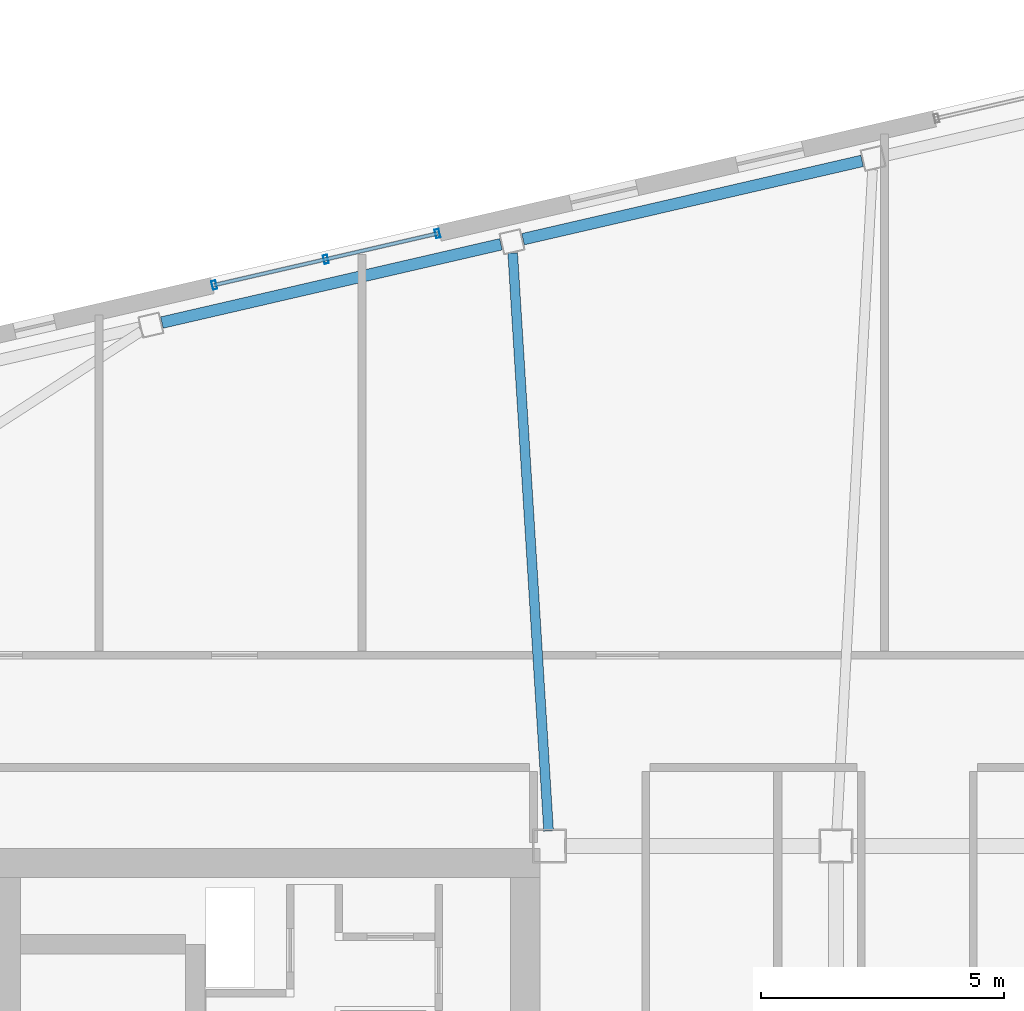
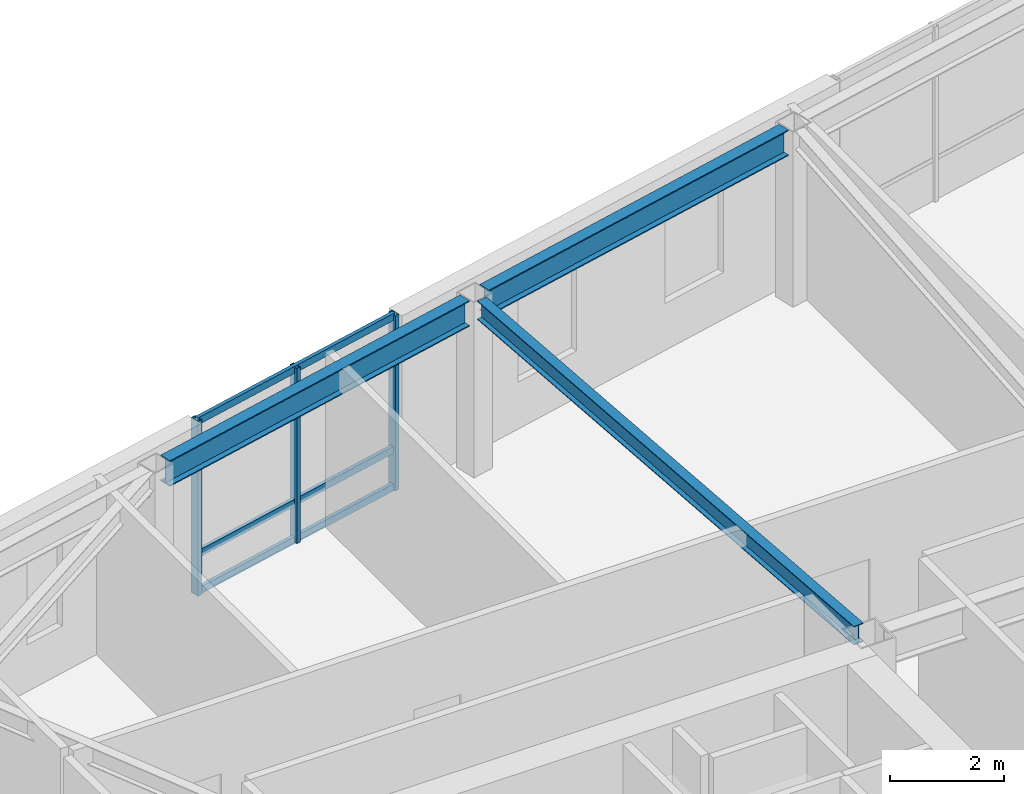
# One storey, part 12 of 23: 6 members, 3 beams, 1 element without a shape of its own.
"""IFC4 building model written with IfcOpenShell, lengths in metres."""

from ifc_helpers import new_model, si_unit, direction, frame, origin, origin_2d, place, context, subcontext, project, spatial, hollow_rectangle, i_section, extrude, material, layer, layer_set, material_profile, profile_set, type_object, element, aggregate, save


model = new_model("IFC4")

# Units and contexts
model_context = context("Model", 3, precision=1e-05, world=origin(), true_north=direction((0.0, 1.0)))
body_context = subcontext(model_context, "Body", "Model", "MODEL_VIEW")
ifc_project = project(units=[si_unit("LENGTHUNIT", "METRE"), si_unit("AREAUNIT", "SQUARE_METRE"), si_unit("VOLUMEUNIT", "CUBIC_METRE"), si_unit("PLANEANGLEUNIT", "RADIAN"), si_unit("MASSUNIT", "GRAM", prefix="KILO")], contexts=[model_context])

# Site, building, storey
site_placement = place(None, origin())
site = spatial("IfcSite", under=ifc_project, at=site_placement, CompositionType="ELEMENT")
building_placement = place(site_placement, origin())
building = spatial("IfcBuilding", under=site, at=building_placement, Name="Tavrogorsk Clinical Tower", CompositionType="ELEMENT")
storey_placement = place(building_placement, frame((0.0, 0.0, 301.0)))
storey = spatial("IfcBuildingStorey", under=building, at=storey_placement, Name="L70", CompositionType="ELEMENT", Elevation=301.0)

# Curtain wall, members
ifc_material_1 = material(Name="Anodised aluminium and triple IGU glazing", Category="aluminium")
ifc_layer = layer(ifc_material_1, 0.179931640625)
ifc_layer_set = layer_set([ifc_layer], Name="Anodised aluminium and triple IGU glazing")
curtain_wall_type = type_object("IfcCurtainWallType", Name="CW2_NorthSlot", PredefinedType="NOTDEFINED", material=ifc_layer_set)
curtain_wall_placement = place(storey_placement, origin())
curtain_wall = element("IfcCurtainWall", 1, at=curtain_wall_placement, inside=storey, type_object=curtain_wall_type, Name="L70 Curtain Wall CW-L70-N-SLOT-1", PredefinedType="NOTDEFINED")
ifc_material_2 = material(Name="Anodised aluminium alloy AW-6060", Category="aluminium")
ifc_material_profile_1 = material_profile(ifc_material_2, hollow_rectangle(XDim=0.090087890625, YDim=0.179931640625, WallThickness=0.00634765625, at=origin_2d()), Name="RHS-180x90x6.3")
ifc_profile_set_1 = profile_set([ifc_material_profile_1], Name="Anodised aluminium alloy AW-6060")
member_type_1 = type_object("IfcMemberType", Name="CwMullion_180x90", PredefinedType="MULLION", material=ifc_profile_set_1)
member_1_placement = place(storey_placement, frame((-12.608154296875, 18.9658203125, 0.0), z_axis=(0.0, 0.0, 1.0), x_axis=(-0.974370057377, -0.224951086434, 0.0)))
member_1 = element("IfcMember", 2, at=member_1_placement, type_object=member_type_1, Name="CW-L70-N-SLOT-1 Mullion 1", PredefinedType="MULLION", context=body_context, shape_type="SweptSolid", body=[
    extrude(hollow_rectangle(XDim=0.090087890625, YDim=0.179931640625, WallThickness=0.00634765625, at=origin_2d()), origin(), (0.0, 0.0, 1.0), 3.739990234375),
])
member_2_placement = place(storey_placement, frame((-14.90673828125, 18.435302734375, 0.0), z_axis=(0.0, 0.0, 1.0), x_axis=(-0.974370057377, -0.224951086434, 0.0)))
member_2 = element("IfcMember", 3, at=member_2_placement, type_object=member_type_1, Name="CW-L70-N-SLOT-1 Mullion 2", PredefinedType="MULLION", context=body_context, shape_type="SweptSolid", body=[
    extrude(hollow_rectangle(XDim=0.090087890625, YDim=0.179931640625, WallThickness=0.00634765625, at=origin_2d()), origin(), (0.0, 0.0, 1.0), 3.739990234375),
])
member_3_placement = place(storey_placement, frame((-17.205322265625, 17.904541015625, 0.0), z_axis=(0.0, 0.0, 1.0), x_axis=(-0.974370057377, -0.224951086434, 0.0)))
member_3 = element("IfcMember", 4, at=member_3_placement, type_object=member_type_1, Name="CW-L70-N-SLOT-1 Mullion 3", PredefinedType="MULLION", context=body_context, shape_type="SweptSolid", body=[
    extrude(hollow_rectangle(XDim=0.090087890625, YDim=0.179931640625, WallThickness=0.00634765625, at=origin_2d()), origin(), (0.0, 0.0, 1.0), 3.739990234375),
])
ifc_material_3 = material(Name="Anodised aluminium alloy AW-6060", Category="aluminium")
ifc_material_profile_2 = material_profile(ifc_material_3, hollow_rectangle(XDim=0.074951171875, YDim=0.14990234375, WallThickness=0.0048828125, at=origin_2d()), Name="RHS-150x75x5")
ifc_profile_set_2 = profile_set([ifc_material_profile_2], Name="Anodised aluminium alloy AW-6060")
member_type_2 = type_object("IfcMemberType", Name="CwTransom_150x75", PredefinedType="USERDEFINED", material=ifc_profile_set_2)
member_4_placement = place(storey_placement, frame((-12.608154296875, 18.9658203125, 0.050048828125), z_axis=(-0.974372877948, -0.22493886885, 0.0), x_axis=(0.22493886885, -0.974372877948, 0.0)))
member_4 = element("IfcMember", 5, at=member_4_placement, type_object=member_type_2, Name="CW-L70-N-SLOT-1 Transom 1", ObjectType="TRANSOM", PredefinedType="USERDEFINED", context=body_context, shape_type="SweptSolid", body=[
    extrude(hollow_rectangle(XDim=0.074951171875, YDim=0.14990234375, WallThickness=0.0048828125, at=origin_2d()), origin(), (0.0, 0.0, 1.0), 4.718017578125),
])
member_5_placement = place(storey_placement, frame((-12.608154296875, 18.9658203125, 0.85009765625), z_axis=(-0.974372877948, -0.22493886885, 0.0), x_axis=(0.22493886885, -0.974372877948, 0.0)))
member_5 = element("IfcMember", 6, at=member_5_placement, type_object=member_type_2, Name="CW-L70-N-SLOT-1 Transom 2", ObjectType="TRANSOM", PredefinedType="USERDEFINED", context=body_context, shape_type="SweptSolid", body=[
    extrude(hollow_rectangle(XDim=0.074951171875, YDim=0.14990234375, WallThickness=0.0048828125, at=origin_2d()), origin(), (0.0, 0.0, 1.0), 4.718017578125),
])
member_6_placement = place(storey_placement, frame((-12.608154296875, 18.9658203125, 3.68994140625), z_axis=(-0.974372877948, -0.22493886885, 0.0), x_axis=(0.22493886885, -0.974372877948, 0.0)))
member_6 = element("IfcMember", 7, at=member_6_placement, type_object=member_type_2, Name="CW-L70-N-SLOT-1 Transom 3", ObjectType="TRANSOM", PredefinedType="USERDEFINED", context=body_context, shape_type="SweptSolid", body=[
    extrude(hollow_rectangle(XDim=0.074951171875, YDim=0.14990234375, WallThickness=0.0048828125, at=origin_2d()), origin(), (0.0, 0.0, 1.0), 4.718017578125),
])
aggregate(curtain_wall, [member_1, member_2, member_3, member_4, member_5, member_6])

# Beams
ifc_material_4 = material(Name="Structural steel S355", Category="steel")
ifc_material_profile_3 = material_profile(ifc_material_4, i_section(OverallWidth=0.199951171875, OverallDepth=0.39990234375, WebThickness=0.010498046875, FlangeThickness=0.01611328125, at=origin_2d()), Name="B-400x200x10.5x16")
ifc_profile_set_3 = profile_set([ifc_material_profile_3], Name="Structural steel S355")
beam_type_1 = type_object("IfcBeamType", Name="FloorBeam_B400", PredefinedType="BEAM", material=ifc_profile_set_3)
beam_placement = place(storey_placement, frame((-10.319091796875, 6.659423828125, 3.5400390625), z_axis=(-0.06197688672, 0.998077584916, 0.0), x_axis=(-0.998077584916, -0.06197688672, 0.0)))
element("IfcBeam", 8, at=beam_placement, inside=storey, type_object=beam_type_1, Name="L70 Radial Floor Beam N5", PredefinedType="BEAM", context=body_context, shape_type="SweptSolid", body=[
    extrude(i_section(OverallWidth=0.199951171875, OverallDepth=0.39990234375, WebThickness=0.010498046875, FlangeThickness=0.01611328125, at=origin_2d()), origin(), (0.0, 0.0, 1.0), 11.927978515625),
])
ifc_material_5 = material(Name="Structural steel S390", Category="steel")
ifc_material_profile_4 = material_profile(ifc_material_5, i_section(OverallWidth=0.239990234375, OverallDepth=0.550048828125, WebThickness=0.013916015625, FlangeThickness=0.02197265625, at=origin_2d()), Name="B-550x240x14x22")
ifc_profile_set_4 = profile_set([ifc_material_profile_4], Name="Structural steel S390")
beam_type_2 = type_object("IfcBeamType", Name="SpandrelBeam_B550", PredefinedType="SPANDREL", material=ifc_profile_set_4)
for number, where, z_axis, x_axis, name in (
    (9, (-3.861328125, 20.4619140625, 3.465087890625), (-0.974367655018, -0.224961491939, 0.0), (0.224961491939, -0.974367655018, 0.0), "L70 Perimeter Spandrel N4-N5"),
    (10, (-11.2998046875, 18.74462890625, 3.465087890625), (-0.974367655018, -0.224961491939, 0.0), (0.224961491939, -0.974367655018, 0.0), "L70 Perimeter Spandrel N5-N6"),
):
    element("IfcBeam", number, at=place(storey_placement, frame(where, z_axis=z_axis, x_axis=x_axis)), inside=storey, type_object=beam_type_2, Name=name, PredefinedType="SPANDREL", context=body_context, shape_type="SweptSolid", body=[
        extrude(i_section(OverallWidth=0.239990234375, OverallDepth=0.550048828125, WebThickness=0.013916015625, FlangeThickness=0.02197265625, at=origin_2d()), origin(), (0.0, 0.0, 1.0), 7.168212890625),
    ])

save(model, "model.ifc")
